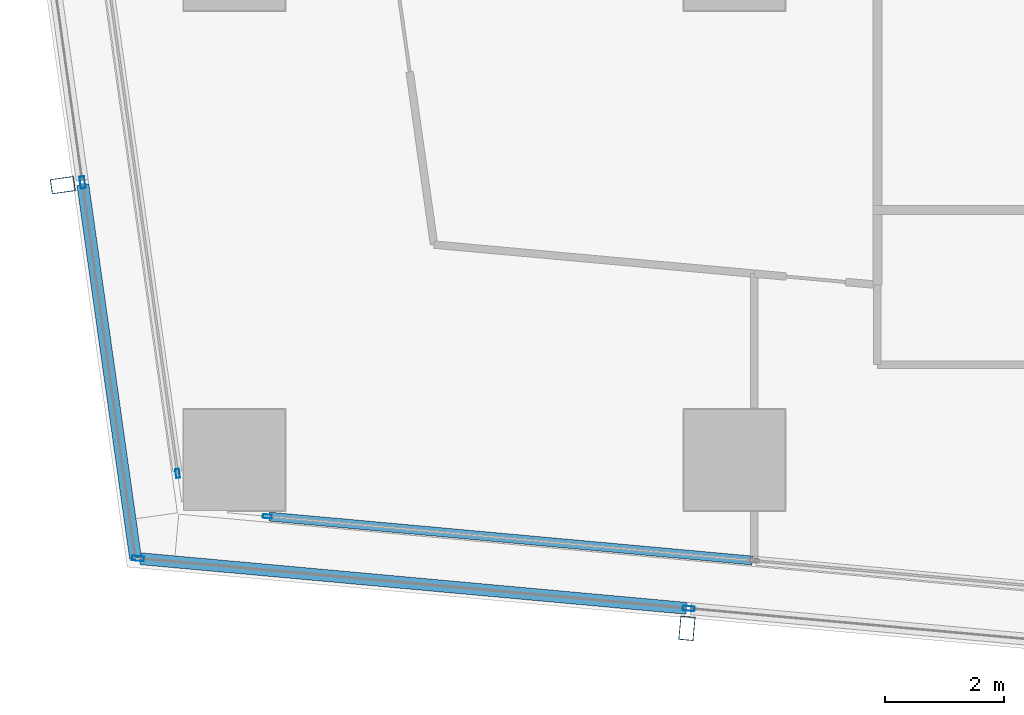
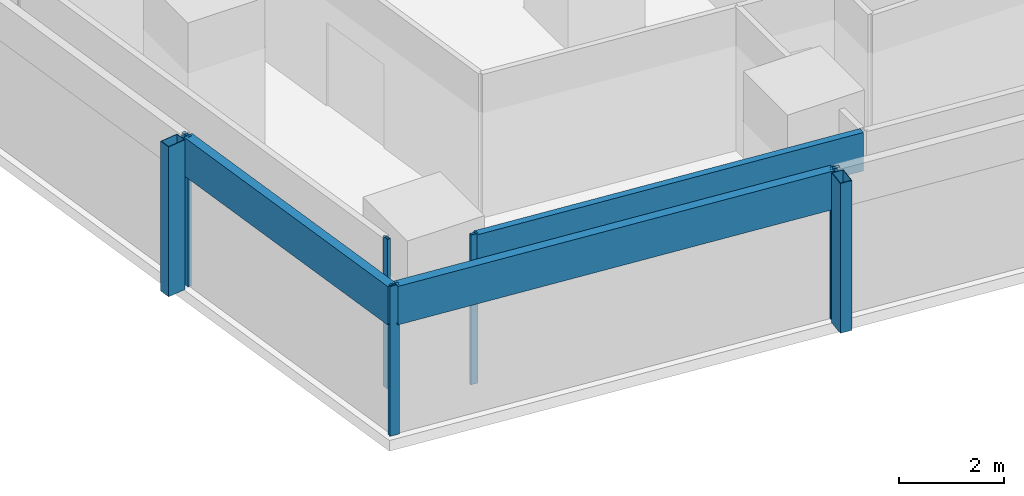
# One storey, part 2 of 40: 10 members, 4 elements without a shape of their own.
"""IFC4 building model written with IfcOpenShell, lengths in metres."""

from ifc_helpers import new_model, si_unit, direction, frame, origin, origin_2d, place, context, subcontext, project, spatial, hollow_rectangle, extrude, material, material_profile, profile_set, type_object, element, aggregate, save


model = new_model("IFC4")

# Units and contexts
model_context = context("Model", 3, precision=1e-05, world=origin(), true_north=direction((0.0, 1.0)))
body_context = subcontext(model_context, "Body", "Model", "MODEL_VIEW")
ifc_project = project(units=[si_unit("LENGTHUNIT", "METRE"), si_unit("AREAUNIT", "SQUARE_METRE"), si_unit("VOLUMEUNIT", "CUBIC_METRE"), si_unit("PLANEANGLEUNIT", "RADIAN"), si_unit("MASSUNIT", "GRAM", prefix="KILO")], contexts=[model_context])

# Site, building, storey
site_placement = place(None, origin())
site = spatial("IfcSite", under=ifc_project, at=site_placement, CompositionType="ELEMENT")
building_placement = place(site_placement, origin())
building = spatial("IfcBuilding", under=site, at=building_placement, Name="Rekha Terrace Tower", CompositionType="ELEMENT")
storey_placement = place(building_placement, frame((0.0, 0.0, 117.800048828125)))
storey = spatial("IfcBuildingStorey", under=building, at=storey_placement, Name="L29", CompositionType="ELEMENT", Elevation=117.800048828125)

# Curtain wall, member
ifc_material_1 = material(Name="Aluminium framing", Category="aluminium")
curtain_wall_type_1 = type_object("IfcCurtainWallType", Name="CW2 double skin outer glazing", PredefinedType="USERDEFINED", material=ifc_material_1)
curtain_wall_1_placement = place(storey_placement, origin())
curtain_wall_1 = element("IfcCurtainWall", 1, at=curtain_wall_1_placement, inside=storey, type_object=curtain_wall_type_1, Name="CW2 double skin outer glazing", ObjectType="DOUBLE SKIN OUTER GLAZING", PredefinedType="USERDEFINED")
ifc_material_2 = material(Name="Steel S355 with fluorocarbon finish", Category="steel")
ifc_material_profile_1 = material_profile(ifc_material_2, hollow_rectangle(XDim=0.25, YDim=0.39990234375, WallThickness=0.012451171875, at=origin_2d()), Name="RHS400x250x12.5")
ifc_profile_set_1 = profile_set([ifc_material_profile_1], Name="Steel S355 with fluorocarbon finish")
member_type_1 = type_object("IfcMemberType", Name="BL1 facade blade RHS 400 x 250", PredefinedType="USERDEFINED", material=ifc_profile_set_1)
member_1_placement = place(storey_placement, frame((16.002197265625, 13.970458984375, 0.0), z_axis=(0.0, 0.0, 1.0), x_axis=(0.995901938317, -0.090439644273, 0.0)))
member_1 = element("IfcMember", 2, at=member_1_placement, type_object=member_type_1, Name="Facade blade", ObjectType="FACADE BLADE", PredefinedType="USERDEFINED", context=body_context, shape_type="SweptSolid", body=[
    extrude(hollow_rectangle(XDim=0.25, YDim=0.39990234375, WallThickness=0.012451171875, at=origin_2d()), origin(), (0.0, 0.0, 1.0), 3.5),
])

curtain_wall_2_placement = place(storey_placement, origin())
curtain_wall_2 = element("IfcCurtainWall", 3, at=curtain_wall_2_placement, inside=storey, type_object=curtain_wall_type_1, Name="CW2 double skin outer glazing", ObjectType="DOUBLE SKIN OUTER GLAZING", PredefinedType="USERDEFINED")
member_2_placement = place(storey_placement, frame((5.51904296875, 21.41455078125, 0.0), z_axis=(0.0, 0.0, 1.0), x_axis=(0.139596532461, -0.990208467003, 0.0)))
member_2 = element("IfcMember", 4, at=member_2_placement, type_object=member_type_1, Name="Facade blade", ObjectType="FACADE BLADE", PredefinedType="USERDEFINED", context=body_context, shape_type="SweptSolid", body=[
    extrude(hollow_rectangle(XDim=0.25, YDim=0.39990234375, WallThickness=0.012451171875, at=origin_2d()), origin(), (0.0, 0.0, 1.0), 3.5),
])

curtain_wall_type_2 = type_object("IfcCurtainWallType", Name="CW1 double skin inner glazing", PredefinedType="USERDEFINED", material=ifc_material_1)
curtain_wall_3_placement = place(storey_placement, origin())
curtain_wall_3 = element("IfcCurtainWall", 5, at=curtain_wall_3_placement, inside=storey, type_object=curtain_wall_type_2, Name="CW1 double skin inner glazing", ObjectType="DOUBLE SKIN INNER GLAZING", PredefinedType="USERDEFINED")
ifc_material_3 = material(Name="Aluminium mullion section", Category="aluminium")
ifc_material_profile_2 = material_profile(ifc_material_3, hollow_rectangle(XDim=0.06494140625, YDim=0.14990234375, WallThickness=0.00390625, at=origin_2d()), Name="AL RHS 65x150")
ifc_profile_set_2 = profile_set([ifc_material_profile_2], Name="Aluminium mullion section")
member_type_2 = type_object("IfcMemberType", Name="CW1 mullion RHS 65 x 150", PredefinedType="MULLION", material=ifc_profile_set_2)
member_3_placement = place(storey_placement, frame((8.953369140625, 15.8505859375, 0.0), z_axis=(0.0, 0.0, 1.0), x_axis=(0.090439811381, 0.995901923142, 0.0)))
member_3 = element("IfcMember", 6, at=member_3_placement, type_object=member_type_2, Name="CW1 mullion 1", PredefinedType="MULLION", context=body_context, shape_type="SweptSolid", body=[
    extrude(hollow_rectangle(XDim=0.06494140625, YDim=0.14990234375, WallThickness=0.00390625, at=origin_2d()), origin(), (0.0, 0.0, 1.0), 3.5),
])

curtain_wall_4_placement = place(storey_placement, origin())
curtain_wall_4 = element("IfcCurtainWall", 7, at=curtain_wall_4_placement, inside=storey, type_object=curtain_wall_type_2, Name="CW1 double skin inner glazing", ObjectType="DOUBLE SKIN INNER GLAZING", PredefinedType="USERDEFINED")
member_4_placement = place(storey_placement, frame((7.448486328125, 16.573974609375, 0.0), z_axis=(0.0, 0.0, 1.0), x_axis=(0.990208394312, 0.139597048082, 0.0)))
member_4 = element("IfcMember", 8, at=member_4_placement, type_object=member_type_2, Name="CW1 mullion 2", PredefinedType="MULLION", context=body_context, shape_type="SweptSolid", body=[
    extrude(hollow_rectangle(XDim=0.06494140625, YDim=0.14990234375, WallThickness=0.00390625, at=origin_2d()), origin(), (0.0, 0.0, 1.0), 3.5),
])
aggregate(curtain_wall_4, [member_4])

# Member
ifc_material_4 = material(Name="Insulated aluminium spandrel box", Category="aluminium")
ifc_material_profile_3 = material_profile(ifc_material_4, hollow_rectangle(XDim=0.14990234375, YDim=0.89990234375, WallThickness=0.0029296875, at=origin_2d()), Name="AL SPANDREL BOX 150x900")
ifc_profile_set_3 = profile_set([ifc_material_profile_3], Name="Insulated aluminium spandrel box")
member_type_3 = type_object("IfcMemberType", Name="CW1 spandrel transom 150 x 900", PredefinedType="USERDEFINED", material=ifc_profile_set_3)
member_5_placement = place(storey_placement, frame((8.98583984375, 15.84765625, 3.050048828125), z_axis=(0.995901551249, -0.090443906483, 0.0), x_axis=(0.090443906483, 0.995901551249, 0.0)))
member_5 = element("IfcMember", 9, at=member_5_placement, type_object=member_type_3, Name="CW1 spandrel transom 1", ObjectType="TRANSOM", PredefinedType="USERDEFINED", context=body_context, shape_type="SweptSolid", body=[
    extrude(hollow_rectangle(XDim=0.14990234375, YDim=0.89990234375, WallThickness=0.0029296875, at=origin_2d()), origin(), (0.0, 0.0, 1.0), 8.1494140625),
])

aggregate(curtain_wall_3, [member_3, member_5])

ifc_material_profile_4 = material_profile(ifc_material_3, hollow_rectangle(XDim=0.080078125, YDim=0.199951171875, WallThickness=0.00390625, at=origin_2d()), Name="AL RHS 80x200")
ifc_profile_set_4 = profile_set([ifc_material_profile_4], Name="Aluminium mullion section")
member_type_4 = type_object("IfcMemberType", Name="CW2 mullion RHS 80 x 200", PredefinedType="MULLION", material=ifc_profile_set_4)
member_6_placement = place(storey_placement, frame((6.780517578125, 15.144287109375, 0.0), z_axis=(0.0, 0.0, 1.0), x_axis=(0.090439811433, 0.995901923137, 0.0)))
member_6 = element("IfcMember", 10, at=member_6_placement, type_object=member_type_4, Name="CW2 mullion 1", PredefinedType="MULLION", context=body_context, shape_type="SweptSolid", body=[
    extrude(hollow_rectangle(XDim=0.080078125, YDim=0.199951171875, WallThickness=0.00390625, at=origin_2d()), origin(), (0.0, 0.0, 1.0), 3.5),
])

member_7_placement = place(storey_placement, frame((16.032470703125, 14.30419921875, 0.0), z_axis=(0.0, 0.0, 1.0), x_axis=(0.090439811433, 0.995901923137, 0.0)))
member_7 = element("IfcMember", 11, at=member_7_placement, type_object=member_type_4, Name="CW2 mullion 2", PredefinedType="MULLION", context=body_context, shape_type="SweptSolid", body=[
    extrude(hollow_rectangle(XDim=0.080078125, YDim=0.199951171875, WallThickness=0.00390625, at=origin_2d()), origin(), (0.0, 0.0, 1.0), 3.5),
])

member_8_placement = place(storey_placement, frame((5.8505859375, 21.46142578125, 0.0), z_axis=(0.0, 0.0, 1.0), x_axis=(0.990208394312, 0.139597048082, 0.0)))
member_8 = element("IfcMember", 12, at=member_8_placement, type_object=member_type_4, Name="CW2 mullion 2", PredefinedType="MULLION", context=body_context, shape_type="SweptSolid", body=[
    extrude(hollow_rectangle(XDim=0.080078125, YDim=0.199951171875, WallThickness=0.00390625, at=origin_2d()), origin(), (0.0, 0.0, 1.0), 3.5),
])

ifc_material_profile_5 = material_profile(ifc_material_4, hollow_rectangle(XDim=0.199951171875, YDim=0.89990234375, WallThickness=0.0029296875, at=origin_2d()), Name="AL SPANDREL BOX 200x900")
ifc_profile_set_5 = profile_set([ifc_material_profile_5], Name="Insulated aluminium spandrel box")
member_type_5 = type_object("IfcMemberType", Name="CW2 spandrel transom 200 x 900", PredefinedType="USERDEFINED", material=ifc_profile_set_5)
member_9_placement = place(storey_placement, frame((6.8203125, 15.140625, 3.050048828125), z_axis=(0.995901458883, -0.090444923548, 0.0), x_axis=(0.090444923548, 0.995901458883, 0.0)))
member_9 = element("IfcMember", 13, at=member_9_placement, type_object=member_type_5, Name="CW2 spandrel transom 1", ObjectType="TRANSOM", PredefinedType="USERDEFINED", context=body_context, shape_type="SweptSolid", body=[
    extrude(hollow_rectangle(XDim=0.199951171875, YDim=0.89990234375, WallThickness=0.0029296875, at=origin_2d()), origin(), (0.0, 0.0, 1.0), 9.210205078125),
])

aggregate(curtain_wall_1, [member_6, member_7, member_9, member_1])

member_10_placement = place(storey_placement, frame((5.856201171875, 21.421875, 3.050048828125), z_axis=(0.139603155616, -0.990207533269, 0.0), x_axis=(0.990207533269, 0.139603155616, 0.0)))
member_10 = element("IfcMember", 14, at=member_10_placement, type_object=member_type_5, Name="CW2 spandrel transom 2", ObjectType="TRANSOM", PredefinedType="USERDEFINED", context=body_context, shape_type="SweptSolid", body=[
    extrude(hollow_rectangle(XDim=0.199951171875, YDim=0.89990234375, WallThickness=0.0029296875, at=origin_2d()), origin(), (0.0, 0.0, 1.0), 6.3359375),
])

aggregate(curtain_wall_2, [member_8, member_10, member_2])

save(model, "model.ifc")
